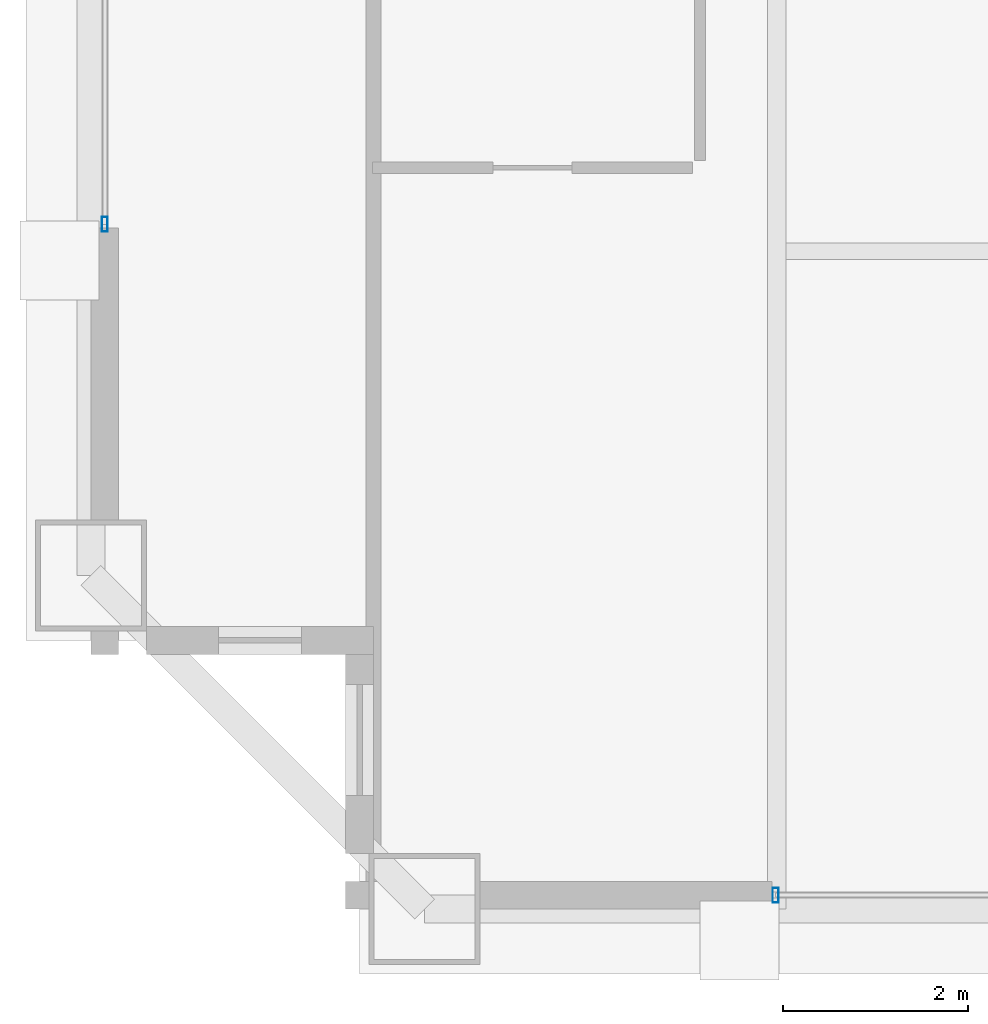
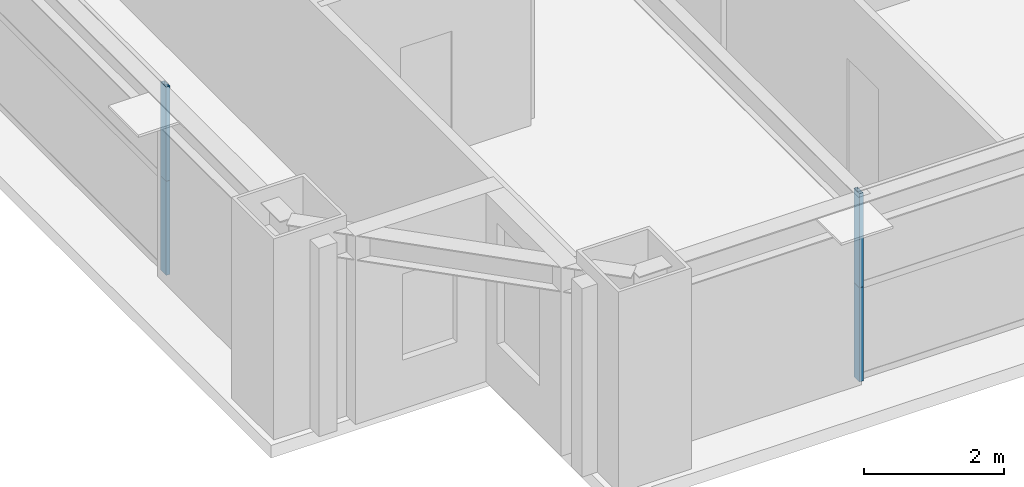
# One storey, part 3 of 37: 4 members, 2 elements without a shape of their own.
"""IFC4 building model written with IfcOpenShell, lengths in metres."""

from ifc_helpers import new_model, si_unit, direction, frame, origin, origin_2d, place, context, subcontext, project, spatial, hollow_rectangle, extrude, source, transform, mapped, material, layer, layer_set, material_profile, profile_set, type_object, element, aggregate, save


model = new_model("IFC4")

# Units and contexts
model_context = context("Model", 3, precision=1e-05, world=origin(), true_north=direction((0.0, 1.0)))
body_context = subcontext(model_context, "Body", "Model", "MODEL_VIEW")
ifc_project = project(units=[si_unit("LENGTHUNIT", "METRE"), si_unit("AREAUNIT", "SQUARE_METRE"), si_unit("VOLUMEUNIT", "CUBIC_METRE"), si_unit("PLANEANGLEUNIT", "RADIAN"), si_unit("MASSUNIT", "GRAM", prefix="KILO"), si_unit("THERMODYNAMICTEMPERATUREUNIT", "KELVIN"), si_unit("POWERUNIT", "WATT")], contexts=[model_context])

# Site, building, storey
site_placement = place(None, origin())
site = spatial("IfcSite", under=ifc_project, at=site_placement, CompositionType="ELEMENT")
building_placement = place(site_placement, origin())
building = spatial("IfcBuilding", under=site, at=building_placement, Name="Yuzanri Waterfront Tower", CompositionType="ELEMENT")
storey_placement = place(building_placement, frame((0.0, 0.0, 245.10009765625)))
storey = spatial("IfcBuildingStorey", under=building, at=storey_placement, Name="L65", CompositionType="ELEMENT", Elevation=245.10009765625)

# Curtain wall, members
ifc_material_1 = material(Name="Anodized Architectural Bronze", Category="metal")
ifc_layer = layer(ifc_material_1, 0.159912109375)
ifc_layer_set = layer_set([ifc_layer], Name="Anodized Architectural Bronze")
curtain_wall_type = type_object("IfcCurtainWallType", Name="Anodized Bronze Mid-Rise Residential Acoustic Unitized Curtain Wall 7200", PredefinedType="NOTDEFINED", material=ifc_layer_set)
curtain_wall_1_placement = place(storey_placement, origin())
curtain_wall_1 = element("IfcCurtainWall", 1, at=curtain_wall_1_placement, inside=storey, type_object=curtain_wall_type, Name="L65 Curtain Wall CW-L65-SL", PredefinedType="NOTDEFINED")
ifc_material_2 = material(Name="Anodized Architectural Bronze", Category="metal")
ifc_material_profile = material_profile(ifc_material_2, hollow_rectangle(XDim=0.06494140625, YDim=0.159912109375, WallThickness=0.00341796875, at=origin_2d()), Name="CWM 65x160")
ifc_profile_set = profile_set([ifc_material_profile], Name="Anodized Architectural Bronze")
member_type = type_object("IfcMemberType", Name="Anodized Bronze Upper-Zone Curtain-Wall Mullion 65x160", PredefinedType="MULLION", material=ifc_profile_set)
shared_shape = source(origin(), body_context, "Body", "SweptSolid", [
    extrude(hollow_rectangle(XDim=0.06494140625, YDim=0.159912109375, WallThickness=0.00341796875, at=origin_2d()), origin(), (0.0, 0.0, 1.0), 1.637939453125),
])
member_1_placement = place(storey_placement, frame((23.7900390625, 5.35009765625, 0.0), z_axis=(0.0, 0.0, 1.0), x_axis=(1.0, 0.0, 0.0)))
member_1 = element("IfcMember", 2, at=member_1_placement, type_object=member_type, Name="CW-L65-SL Lower Mullion 00", PredefinedType="MULLION", context=body_context, shape_type="MappedRepresentation", body=[
    mapped(shared_shape, transform((0.0, 0.0, 0.0), scale=1.0)),
])
member_2_placement = place(storey_placement, frame((23.7900390625, 5.35009765625, 1.641845703125), z_axis=(0.0, 0.0, 1.0), x_axis=(1.0, 0.0, 0.0)))
member_2 = element("IfcMember", 3, at=member_2_placement, type_object=member_type, Name="CW-L65-SL Upper Mullion 00", PredefinedType="MULLION", context=body_context, shape_type="MappedRepresentation", body=[
    mapped(shared_shape, transform((0.0, 0.0, 0.0), scale=1.0)),
])
aggregate(curtain_wall_1, [member_1, member_2])

curtain_wall_2_placement = place(storey_placement, origin())
curtain_wall_2 = element("IfcCurtainWall", 4, at=curtain_wall_2_placement, inside=storey, type_object=curtain_wall_type, Name="L65 Curtain Wall CW-L65-WL", PredefinedType="NOTDEFINED")
member_3_placement = place(storey_placement, frame((16.550048828125, 12.590087890625, 0.0), z_axis=(0.0, 0.0, 1.0), x_axis=(1.0, 0.0, 0.0)))
member_3 = element("IfcMember", 5, at=member_3_placement, type_object=member_type, Name="CW-L65-WL Lower Mullion 00", PredefinedType="MULLION", context=body_context, shape_type="MappedRepresentation", body=[
    mapped(shared_shape, transform((0.0, 0.0, 0.0), scale=1.0)),
])
member_4_placement = place(storey_placement, frame((16.550048828125, 12.590087890625, 1.641845703125), z_axis=(0.0, 0.0, 1.0), x_axis=(1.0, 0.0, 0.0)))
member_4 = element("IfcMember", 6, at=member_4_placement, type_object=member_type, Name="CW-L65-WL Upper Mullion 00", PredefinedType="MULLION", context=body_context, shape_type="MappedRepresentation", body=[
    mapped(shared_shape, transform((0.0, 0.0, 0.0), scale=1.0)),
])
aggregate(curtain_wall_2, [member_3, member_4])

save(model, "model.ifc")
